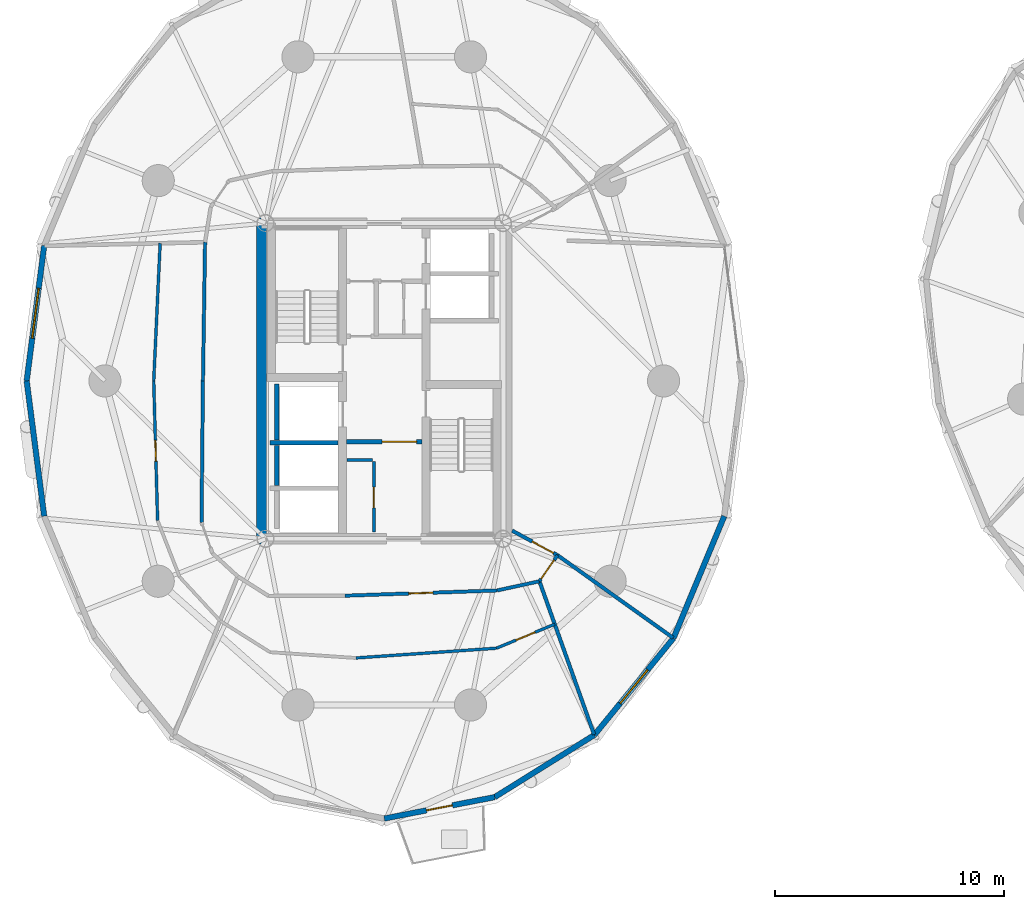
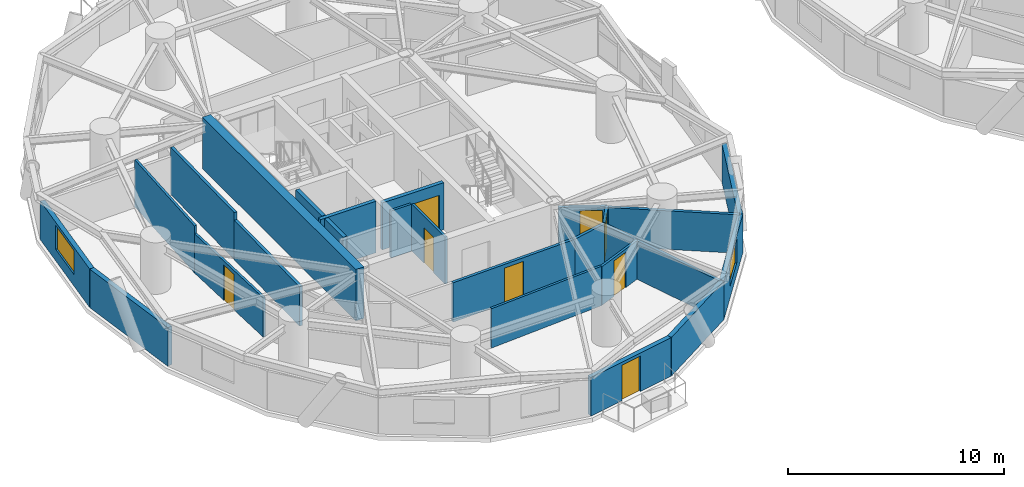
# One storey, part 9 of 18: 25 walls, 8 doors, 2 windows, 10 openings.
"""IFC4 building model written with IfcOpenShell, lengths in metres."""

from ifc_helpers import new_model, si_unit, direction, frame, frame_2d, origin, place, context, subcontext, project, spatial, rectangle, extrude, source, transform, mapped, material, layer, layer_set, type_object, element, fill, save


model = new_model("IFC4")

# Units and contexts
model_context = context("Model", 3, precision=1e-05, world=origin(), true_north=direction((0.0, 1.0)))
body_context = subcontext(model_context, "Body", "Model", "MODEL_VIEW")
ifc_project = project(units=[si_unit("LENGTHUNIT", "METRE"), si_unit("AREAUNIT", "SQUARE_METRE"), si_unit("VOLUMEUNIT", "CUBIC_METRE"), si_unit("PLANEANGLEUNIT", "RADIAN"), si_unit("MASSUNIT", "GRAM", prefix="KILO")], contexts=[model_context])

# Site, building, storey
site_placement = place(None, origin())
site = spatial("IfcSite", under=ifc_project, at=site_placement, CompositionType="ELEMENT")
building_placement = place(site_placement, origin())
building = spatial("IfcBuilding", under=site, at=building_placement, Name="Cununo Teusaquillo Station Towers", CompositionType="ELEMENT")
storey_placement = place(building_placement, frame((0.0, 0.0, 105.070068359375)))
storey = spatial("IfcBuildingStorey", under=building, at=storey_placement, Name="L33", CompositionType="ELEMENT", Elevation=105.070068359375)

# Walls
ifc_material_1 = material(Name="Concrete C50/60", Category="concrete")
ifc_layer_1 = layer(ifc_material_1, 0.199951171875)
ifc_layer_set_1 = layer_set([ifc_layer_1], Name="Concrete C50/60")
wall_type_1 = type_object("IfcWallType", Name="WL-CORE-200", PredefinedType="SHEAR", material=ifc_layer_set_1)
wall_1_placement = place(storey_placement, frame((11.52001953125, 21.800048828125, 0.0), z_axis=(0.0, 0.0, 1.0), x_axis=(1.0, 0.0, 0.0)))
element("IfcWall", 1, at=wall_1_placement, inside=storey, type_object=wall_type_1, Name="L33 Tower A Firefighting Lift Shaft South Shear Wall", PredefinedType="SHEAR", context=body_context, shape_type="SweptSolid", body=[
    extrude(rectangle(XDim=2.969970703125, YDim=0.199951171875, at=frame_2d((1.48486328125, 0.0))), origin(), (0.0, 0.0, 1.0), 2.909912109375),
])
wall_2_placement = place(storey_placement, frame((11.820068359375, 21.919921875, 0.0), z_axis=(0.0, 0.0, 1.0), x_axis=(0.0, 1.0, 0.0)))
element("IfcWall", 2, at=wall_2_placement, inside=storey, type_object=wall_type_1, Name="L33 Tower A Firefighting Lift Shaft Rear Shear Wall", PredefinedType="SHEAR", context=body_context, shape_type="SweptSolid", body=[
    extrude(rectangle(XDim=2.440185546875, YDim=0.199951171875, at=frame_2d((1.22021484375, 0.0))), origin(), (0.0, 0.0, 1.0), 2.909912109375),
])
wall_3_placement = place(storey_placement, frame((11.820068359375, 19.945068359375, 0.0), z_axis=(0.0, 0.0, 1.0), x_axis=(0.0, 1.0, 0.0)))
element("IfcWall", 3, at=wall_3_placement, inside=storey, type_object=wall_type_1, Name="L33 Tower A High-Rise Lift 2 Shaft Rear Shear Wall", PredefinedType="SHEAR", context=body_context, shape_type="SweptSolid", body=[
    extrude(rectangle(XDim=1.73486328125, YDim=0.199951171875, at=frame_2d((0.867431640625, 0.0))), origin(), (0.0, 0.0, 1.0), 2.909912109375),
])
ifc_material_2 = material(Name="Concrete C60/75", Category="concrete")
ifc_layer_2 = layer(ifc_material_2, 0.449951171875)
ifc_layer_set_2 = layer_set([ifc_layer_2], Name="Concrete C60/75")
wall_type_2 = type_object("IfcWallType", Name="WL-CORE-450", PredefinedType="SHEAR", material=ifc_layer_set_2)
wall_4_placement = place(storey_placement, frame((11.14990234375, 17.39990234375, 0.0), z_axis=(0.0, 0.0, 1.0), x_axis=(0.0, 1.0, 0.0)))
element("IfcWall", 4, at=wall_4_placement, inside=storey, type_object=wall_type_2, Name="L33 Tower A Core Shear Wall W", PredefinedType="SHEAR", context=body_context, shape_type="SweptSolid", body=[
    extrude(rectangle(XDim=14.2001953125, YDim=0.449951171875, at=frame_2d((7.10009765625, 0.0))), origin(), (0.0, 0.0, 1.0), 2.909912109375),
])

# Wall, opening, window
ifc_material_3 = material(Name="Precast concrete C40/50", Category="concrete")
ifc_layer_3 = layer(ifc_material_3, 0.239990234375)
ifc_layer_set_3 = layer_set([ifc_layer_3], Name="Precast concrete C40/50")
wall_type_3 = type_object("IfcWallType", Name="WL-EXT-240", PredefinedType="SOLIDWALL", material=ifc_layer_set_3)
wall_5_placement = place(storey_placement, frame((0.9189453125, 24.5, 0.0), z_axis=(0.0, 0.0, 1.0), x_axis=(0.128351991996, 0.991728675672, 0.0)))
wall_5 = element("IfcWall", 5, at=wall_5_placement, inside=storey, type_object=wall_type_3, Name="L33 Tower A Exterior Facade Wall C09", PredefinedType="SOLIDWALL", context=body_context, shape_type="SweptSolid", body=[
    extrude(rectangle(XDim=5.942138671875, YDim=0.239990234375, at=frame_2d((2.97119140625, 0.0))), origin(), (0.0, 0.0, 1.0), 2.178955078125),
])
shared_shape_1 = source(origin(), body_context, "Body", "SweptSolid", [
    extrude(rectangle(XDim=2.199951171875, YDim=1.35009765625, at=frame_2d((1.10009765625, 0.675048828125))), frame((0.0, 0.1298828125, 0.0), z_axis=(0.0, -1.0, 0.0), x_axis=(1.0, 0.0, 0.0)), (0.0, 0.0, 1.0), 0.260009765625),
])
opening_1_placement = place(wall_5_placement, frame((1.87109375, 0.0, 0.64990234375)))
opening_1 = element("IfcOpeningElement", 6, at=opening_1_placement, cuts=wall_5, Name="Opening WN-01", PredefinedType="OPENING", context=body_context, shape_type="MappedRepresentation", body=[
    mapped(shared_shape_1, transform((0.0, 0.0, 0.0), x_axis=(1.0, 0.0, 0.0), y_axis=(0.0, 1.0, 0.0), z_axis=(0.0, 0.0, 1.0), scale=1.0)),
])
ifc_material_4 = material(Name="Ceramic-fritted dark low-E double glazing", Category="glass")
window_type_1 = type_object("IfcWindowType", Name="WIN-FRIT-2200", PartitioningType="DOUBLE_PANEL_VERTICAL", PredefinedType="WINDOW", material=ifc_material_4)
shared_shape_2 = source(origin(), body_context, "Body", "SweptSolid", [
    extrude(rectangle(XDim=2.199951171875, YDim=1.35009765625, at=frame_2d((1.10009765625, 0.675048828125))), frame((0.0, 0.030029296875, 0.0), z_axis=(0.0, -1.0, 0.0), x_axis=(1.0, 0.0, 0.0)), (0.0, 0.0, 1.0), 0.06005859375),
])
window_1_placement = place(opening_1_placement, origin())
window_1 = element("IfcWindow", 7, at=window_1_placement, inside=storey, type_object=window_type_1, Name="L33 Tower A Facade Window C09", OverallHeight=1.35009765625, OverallWidth=2.199951171875, PartitioningType="DOUBLE_PANEL_VERTICAL", PredefinedType="WINDOW", context=body_context, shape_type="MappedRepresentation", body=[
    mapped(shared_shape_2, transform((0.0, 0.0, 0.0), x_axis=(1.0, 0.0, 0.0), y_axis=(0.0, 1.0, 0.0), z_axis=(0.0, 0.0, 1.0), scale=1.0)),
])
fill(opening_1, window_1)

# Wall
wall_6_placement = place(storey_placement, frame((1.681640625, 18.60693359375, 0.0), z_axis=(0.0, 0.0, 1.0), x_axis=(-0.128351991996, 0.991728675672, 0.0)))
element("IfcWall", 8, at=wall_6_placement, inside=storey, type_object=wall_type_3, Name="L33 Tower A Exterior Facade Wall C10", PredefinedType="SOLIDWALL", context=body_context, shape_type="SweptSolid", body=[
    extrude(rectangle(XDim=5.942138671875, YDim=0.239990234375, at=frame_2d((2.97119140625, 0.0))), origin(), (0.0, 0.0, 1.0), 2.178955078125),
])

# Wall, opening, door
wall_7_placement = place(storey_placement, frame((21.314697265625, 6.36328125, 0.0), z_axis=(0.0, 0.0, 1.0), x_axis=(-0.981723785992, -0.190311344954, 0.0)))
wall_7 = element("IfcWall", 9, at=wall_7_placement, inside=storey, type_object=wall_type_3, Name="L33 Tower A Exterior Facade Wall C15", PredefinedType="SOLIDWALL", context=body_context, shape_type="SweptSolid", body=[
    extrude(rectangle(XDim=4.904296875, YDim=0.239990234375, at=frame_2d((2.4521484375, 0.0))), origin(), (0.0, 0.0, 1.0), 2.178955078125),
])
shared_shape_3 = source(origin(), body_context, "Body", "SweptSolid", [
    extrude(rectangle(XDim=1.14990234375, YDim=2.0048828125, at=frame_2d((0.574951171875, 1.00244140625))), frame((0.0, 0.1298828125, 0.0), z_axis=(0.0, -1.0, 0.0), x_axis=(1.0, 0.0, 0.0)), (0.0, 0.0, 1.0), 0.260009765625),
])
opening_2_placement = place(wall_7_placement, frame((1.876953125, 0.0, 0.0)))
opening_2 = element("IfcOpeningElement", 10, at=opening_2_placement, cuts=wall_7, Name="Opening ED-03", PredefinedType="OPENING", context=body_context, shape_type="MappedRepresentation", body=[
    mapped(shared_shape_3, transform((0.0, 0.0, 0.0), x_axis=(1.0, 0.0, 0.0), y_axis=(0.0, 1.0, 0.0), z_axis=(0.0, 0.0, 1.0), scale=1.0)),
])
ifc_material_5 = material(Name="Anodised dark bronze aluminium EN AW-6063-T6", Category="aluminium")
door_type_1 = type_object("IfcDoorType", Name="DR-EXT-BAL", OperationType="NOTDEFINED", PredefinedType="DOOR", material=ifc_material_5)
shared_shape_4 = source(origin(), body_context, "Body", "SweptSolid", [
    extrude(rectangle(XDim=1.14990234375, YDim=2.0048828125, at=frame_2d((0.574951171875, 1.00244140625))), frame((0.0, 0.02490234375, 0.0), z_axis=(0.0, -1.0, 0.0), x_axis=(1.0, 0.0, 0.0)), (0.0, 0.0, 1.0), 0.050048828125),
])
door_1_placement = place(opening_2_placement, origin())
door_1 = element("IfcDoor", 11, at=door_1_placement, inside=storey, type_object=door_type_1, Name="L33 Tower A Tree Balcony Door C15", OperationType="SINGLE_SWING_LEFT", OverallHeight=2.0048828125, OverallWidth=1.14990234375, PredefinedType="DOOR", context=body_context, shape_type="MappedRepresentation", body=[
    mapped(shared_shape_4, transform((0.0, 0.0, 0.0), x_axis=(1.0, 0.0, 0.0), y_axis=(0.0, 1.0, 0.0), z_axis=(0.0, 0.0, 1.0), scale=1.0)),
])
fill(opening_2, door_1)

# Wall
wall_8_placement = place(storey_placement, frame((25.658203125, 9.072021484375, 0.0), z_axis=(0.0, 0.0, 1.0), x_axis=(-0.848520380187, -0.529162701263, 0.0)))
element("IfcWall", 12, at=wall_8_placement, inside=storey, type_object=wall_type_3, Name="L33 Tower A Exterior Facade Wall C16", PredefinedType="SOLIDWALL", context=body_context, shape_type="SweptSolid", body=[
    extrude(rectangle(XDim=5.118896484375, YDim=0.239990234375, at=frame_2d((2.5595703125, 0.0))), origin(), (0.0, 0.0, 1.0), 2.178955078125),
])

# Wall, opening, window
wall_9_placement = place(storey_placement, frame((29.105224609375, 13.291015625, 0.0), z_axis=(0.0, 0.0, 1.0), x_axis=(-0.632700781152, -0.77439635945, 0.0)))
wall_9 = element("IfcWall", 13, at=wall_9_placement, inside=storey, type_object=wall_type_3, Name="L33 Tower A Exterior Facade Wall C17", PredefinedType="SOLIDWALL", context=body_context, shape_type="SweptSolid", body=[
    extrude(rectangle(XDim=5.447998046875, YDim=0.239990234375, at=frame_2d((2.72412109375, 0.0))), origin(), (0.0, 0.0, 1.0), 2.178955078125),
])
shared_shape_5 = source(origin(), body_context, "Body", "SweptSolid", [
    extrude(rectangle(XDim=1.89990234375, YDim=1.35009765625, at=frame_2d((0.949951171875, 0.675048828125))), frame((0.0, 0.1298828125, 0.0), z_axis=(0.0, -1.0, 0.0), x_axis=(1.0, 0.0, 0.0)), (0.0, 0.0, 1.0), 0.260009765625),
])
opening_3_placement = place(wall_9_placement, frame((1.77392578125, 0.0, 0.64990234375)))
opening_3 = element("IfcOpeningElement", 14, at=opening_3_placement, cuts=wall_9, Name="Opening WN-02", PredefinedType="OPENING", context=body_context, shape_type="MappedRepresentation", body=[
    mapped(shared_shape_5, transform((0.0, 0.0, 0.0), x_axis=(1.0, 0.0, 0.0), y_axis=(0.0, 1.0, 0.0), z_axis=(0.0, 0.0, 1.0), scale=1.0)),
])
ifc_material_6 = material(Name="Operable acoustic tinted low-E double glazing", Category="glass")
window_type_2 = type_object("IfcWindowType", Name="WIN-OPER-1900", PartitioningType="DOUBLE_PANEL_VERTICAL", PredefinedType="WINDOW", material=ifc_material_6)
shared_shape_6 = source(origin(), body_context, "Body", "SweptSolid", [
    extrude(rectangle(XDim=1.89990234375, YDim=1.35009765625, at=frame_2d((0.949951171875, 0.675048828125))), frame((0.0, 0.030029296875, 0.0), z_axis=(0.0, -1.0, 0.0), x_axis=(1.0, 0.0, 0.0)), (0.0, 0.0, 1.0), 0.06005859375),
])
window_2_placement = place(opening_3_placement, origin())
window_2 = element("IfcWindow", 15, at=window_2_placement, inside=storey, type_object=window_type_2, Name="L33 Tower A Facade Window C17", OverallHeight=1.35009765625, OverallWidth=1.89990234375, PartitioningType="DOUBLE_PANEL_VERTICAL", PredefinedType="WINDOW", context=body_context, shape_type="MappedRepresentation", body=[
    mapped(shared_shape_6, transform((0.0, 0.0, 0.0), x_axis=(1.0, 0.0, 0.0), y_axis=(0.0, 1.0, 0.0), z_axis=(0.0, 0.0, 1.0), scale=1.0)),
])
fill(opening_3, window_2)

# Wall
wall_10_placement = place(storey_placement, frame((31.318359375, 18.60693359375, 0.0), z_axis=(0.0, 0.0, 1.0), x_axis=(-0.384344417632, -0.923189779317, 0.0)))
element("IfcWall", 16, at=wall_10_placement, inside=storey, type_object=wall_type_3, Name="L33 Tower A Exterior Facade Wall C18", PredefinedType="SOLIDWALL", context=body_context, shape_type="SweptSolid", body=[
    extrude(rectangle(XDim=5.75830078125, YDim=0.239990234375, at=frame_2d((2.879150390625, 0.0))), origin(), (0.0, 0.0, 1.0), 2.178955078125),
])

# Wall, opening, door
ifc_material_7 = material(Name="Fire-rated gypsum plasterboard partition assembly", Category="gypsum")
ifc_layer_4 = layer(ifc_material_7, 0.125)
ifc_layer_set_4 = layer_set([ifc_layer_4], Name="Fire-rated gypsum plasterboard partition assembly")
wall_type_4 = type_object("IfcWallType", Name="WL-PART-125", PredefinedType="PARTITIONING", material=ifc_layer_set_4)
wall_11_placement = place(storey_placement, frame((16.050048828125, 17.919921875, 0.0), z_axis=(0.0, 0.0, 1.0), x_axis=(0.0, 1.0, 0.0)))
wall_11 = element("IfcWall", 17, at=wall_11_placement, inside=storey, type_object=wall_type_4, Name="L33 Tower A South-West Tall Store East Wall", PredefinedType="PARTITIONING", context=body_context, shape_type="SweptSolid", body=[
    extrude(rectangle(XDim=3.080078125, YDim=0.125, at=frame_2d((1.5400390625, 0.0))), origin(), (0.0, 0.0, 1.0), 2.655029296875),
])
shared_shape_7 = source(origin(), body_context, "Body", "SweptSolid", [
    extrude(rectangle(XDim=0.89990234375, YDim=2.0048828125, at=frame_2d((0.449951171875, 1.00244140625))), frame((0.0, 0.072509765625, 0.0), z_axis=(0.0, -1.0, 0.0), x_axis=(1.0, 0.0, 0.0)), (0.0, 0.0, 1.0), 0.14501953125),
])
opening_4_placement = place(wall_11_placement, frame((1.050048828125, 0.0, 0.0)))
opening_4 = element("IfcOpeningElement", 18, at=opening_4_placement, cuts=wall_11, Name="Opening D-SR1", PredefinedType="OPENING", context=body_context, shape_type="MappedRepresentation", body=[
    mapped(shared_shape_7, transform((0.0, 0.0, 0.0), x_axis=(1.0, 0.0, 0.0), y_axis=(0.0, 1.0, 0.0), z_axis=(0.0, 0.0, 1.0), scale=1.0)),
])
ifc_material_8 = material(Name="Galvanised fire-rated hollow steel door assembly", Category="steel")
door_type_2 = type_object("IfcDoorType", Name="DR-STORE-900", OperationType="NOTDEFINED", PredefinedType="DOOR", material=ifc_material_8)
shared_shape_8 = source(origin(), body_context, "Body", "SweptSolid", [
    extrude(rectangle(XDim=0.89990234375, YDim=2.0048828125, at=frame_2d((0.449951171875, 1.00244140625))), frame((0.0, 0.02490234375, 0.0), z_axis=(0.0, -1.0, 0.0), x_axis=(1.0, 0.0, 0.0)), (0.0, 0.0, 1.0), 0.050048828125),
])
door_2_placement = place(opening_4_placement, origin())
door_2 = element("IfcDoor", 19, at=door_2_placement, inside=storey, type_object=door_type_2, Name="L33 Tower A South Cleaners Store Door", OperationType="SINGLE_SWING_RIGHT", OverallHeight=2.0048828125, OverallWidth=0.89990234375, PredefinedType="DOOR", context=body_context, shape_type="MappedRepresentation", body=[
    mapped(shared_shape_8, transform((0.0, 0.0, 0.0), x_axis=(1.0, 0.0, 0.0), y_axis=(0.0, 1.0, 0.0), z_axis=(0.0, 0.0, 1.0), scale=1.0)),
])
fill(opening_4, door_2)

# Walls
wall_12_placement = place(storey_placement, frame((14.8798828125, 21.050048828125, 0.0), z_axis=(0.0, 0.0, 1.0), x_axis=(1.0, 0.0, 0.0)))
element("IfcWall", 20, at=wall_12_placement, inside=storey, type_object=wall_type_4, Name="L33 Tower A South-West Tall Store North Wall", PredefinedType="PARTITIONING", context=body_context, shape_type="SweptSolid", body=[
    extrude(rectangle(XDim=1.10009765625, YDim=0.125, at=frame_2d((0.550048828125, 0.0))), origin(), (0.0, 0.0, 1.0), 2.655029296875),
])
wall_13_placement = place(storey_placement, frame((6.73486328125, 30.5, 0.0), z_axis=(0.0, 0.0, 1.0), x_axis=(-0.046620801603, -0.998912659274, 0.0)))
element("IfcWall", 21, at=wall_13_placement, inside=storey, type_object=wall_type_4, Name="L33 Tower A Ambassadorial Executive Office Concentric Partition Wall C09", PredefinedType="PARTITIONING", context=body_context, shape_type="SweptSolid", body=[
    extrude(rectangle(XDim=6.006591796875, YDim=0.125, at=frame_2d((3.00341796875, 0.0))), origin(), (0.0, 0.0, 1.0), 2.655029296875),
])

# Wall, opening, door
wall_14_placement = place(storey_placement, frame((6.454833984375, 24.5, 0.0), z_axis=(0.0, 0.0, 1.0), x_axis=(0.027753708707, -0.999614791634, 0.0)))
wall_14 = element("IfcWall", 22, at=wall_14_placement, inside=storey, type_object=wall_type_4, Name="L33 Tower A Ambassadorial Executive Office Concentric Partition Wall C10", PredefinedType="PARTITIONING", context=body_context, shape_type="SweptSolid", body=[
    extrude(rectangle(XDim=6.08740234375, YDim=0.125, at=frame_2d((3.043701171875, 0.0))), origin(), (0.0, 0.0, 1.0), 2.224853515625),
])
opening_5_placement = place(wall_14_placement, frame((2.593505859375, 0.0, 0.0)))
opening_5 = element("IfcOpeningElement", 23, at=opening_5_placement, cuts=wall_14, Name="Opening D-IN1", PredefinedType="OPENING", context=body_context, shape_type="MappedRepresentation", body=[
    mapped(shared_shape_7, transform((0.0, 0.0, 0.0), x_axis=(1.0, 0.0, 0.0), y_axis=(0.0, 1.0, 0.0), z_axis=(0.0, 0.0, 1.0), scale=1.0)),
])
ifc_material_9 = material(Name="Acoustic solid-core hardwood leaf assembly", Category="wood")
door_type_3 = type_object("IfcDoorType", Name="DR-INT-900", OperationType="NOTDEFINED", PredefinedType="DOOR", material=ifc_material_9)
door_3_placement = place(opening_5_placement, origin())
door_3 = element("IfcDoor", 24, at=door_3_placement, inside=storey, type_object=door_type_3, Name="L33 Tower A Ambassadorial Executive Office Connecting Door", OperationType="SINGLE_SWING_LEFT", OverallHeight=2.0048828125, OverallWidth=0.89990234375, PredefinedType="DOOR", context=body_context, shape_type="MappedRepresentation", body=[
    mapped(shared_shape_8, transform((0.0, 0.0, 0.0), x_axis=(1.0, 0.0, 0.0), y_axis=(0.0, 1.0, 0.0), z_axis=(0.0, 0.0, 1.0), scale=1.0)),
])
fill(opening_5, door_3)

# Wall
wall_15_placement = place(storey_placement, frame((15.26220703125, 12.42724609375, 0.0), z_axis=(0.0, 0.0, 1.0), x_axis=(0.997595855995, 0.069300130605, 0.0)))
element("IfcWall", 25, at=wall_15_placement, inside=storey, type_object=wall_type_4, Name="L33 Tower A Cultural Attache Workplace Concentric Partition Wall C15", PredefinedType="PARTITIONING", context=body_context, shape_type="SweptSolid", body=[
    extrude(rectangle(XDim=6.140380859375, YDim=0.125, at=frame_2d((3.0703125, 0.0))), origin(), (0.0, 0.0, 1.0), 2.224853515625),
])

# Wall, opening, door
wall_16_placement = place(storey_placement, frame((21.387939453125, 12.852783203125, 0.0), z_axis=(0.0, 0.0, 1.0), x_axis=(0.924757149715, 0.380557767036, 0.0)))
wall_16 = element("IfcWall", 26, at=wall_16_placement, inside=storey, type_object=wall_type_4, Name="L33 Tower A Cultural Attache Workplace Concentric Partition Wall C16", PredefinedType="PARTITIONING", context=body_context, shape_type="SweptSolid", body=[
    extrude(rectangle(XDim=2.74951171875, YDim=0.125, at=frame_2d((1.374755859375, 0.0))), origin(), (0.0, 0.0, 1.0), 2.178955078125),
])
opening_6_placement = place(wall_16_placement, frame((0.9248046875, 0.0, 0.0)))
opening_6 = element("IfcOpeningElement", 27, at=opening_6_placement, cuts=wall_16, Name="Opening D-IN1", PredefinedType="OPENING", context=body_context, shape_type="MappedRepresentation", body=[
    mapped(shared_shape_7, transform((0.0, 0.0, 0.0), x_axis=(1.0, 0.0, 0.0), y_axis=(0.0, 1.0, 0.0), z_axis=(0.0, 0.0, 1.0), scale=1.0)),
])
door_4_placement = place(opening_6_placement, origin())
door_4 = element("IfcDoor", 28, at=door_4_placement, inside=storey, type_object=door_type_3, Name="L33 Tower A Cultural Attache Workplace Connecting Door", OperationType="SINGLE_SWING_LEFT", OverallHeight=2.0048828125, OverallWidth=0.89990234375, PredefinedType="DOOR", context=body_context, shape_type="MappedRepresentation", body=[
    mapped(shared_shape_8, transform((0.0, 0.0, 0.0), x_axis=(1.0, 0.0, 0.0), y_axis=(0.0, 1.0, 0.0), z_axis=(0.0, 0.0, 1.0), scale=1.0)),
])
fill(opening_6, door_4)

# Walls
ifc_material_10 = material(Name="Fire-rated gypsum plasterboard partition assembly", Category="gypsum")
ifc_layer_5 = layer(ifc_material_10, 0.14990234375)
ifc_layer_set_5 = layer_set([ifc_layer_5], Name="Fire-rated gypsum plasterboard partition assembly")
wall_type_5 = type_object("IfcWallType", Name="WL-PART-150", PredefinedType="PARTITIONING", material=ifc_layer_set_5)
wall_17_placement = place(storey_placement, frame((8.692626953125, 30.544189453125, 0.0), z_axis=(0.0, 0.0, 1.0), x_axis=(-0.015307007986, -0.99988284089, 0.0)))
element("IfcWall", 29, at=wall_17_placement, inside=storey, type_object=wall_type_5, Name="L33 Tower A Corridor Ring Wall C09", PredefinedType="PARTITIONING", context=body_context, shape_type="SweptSolid", body=[
    extrude(rectangle(XDim=6.044921875, YDim=0.14990234375, at=frame_2d((3.0224609375, 0.0))), origin(), (0.0, 0.0, 1.0), 2.655029296875),
])
wall_18_placement = place(storey_placement, frame((8.60009765625, 24.5, 0.0), z_axis=(0.0, 0.0, 1.0), x_axis=(-0.010023665349, -0.999949761805, 0.0)))
element("IfcWall", 30, at=wall_18_placement, inside=storey, type_object=wall_type_5, Name="L33 Tower A Corridor Ring Wall C10", PredefinedType="PARTITIONING", context=body_context, shape_type="SweptSolid", body=[
    extrude(rectangle(XDim=6.162109375, YDim=0.14990234375, at=frame_2d((3.0810546875, 0.0))), origin(), (0.0, 0.0, 1.0), 2.224853515625),
])

# Wall, opening, door
wall_19_placement = place(storey_placement, frame((14.781005859375, 15.140625, 0.0), z_axis=(0.0, 0.0, 1.0), x_axis=(0.999407918707, 0.034406569513, 0.0)))
wall_19 = element("IfcWall", 31, at=wall_19_placement, inside=storey, type_object=wall_type_5, Name="L33 Tower A Corridor Ring Wall C15", PredefinedType="PARTITIONING", context=body_context, shape_type="SweptSolid", body=[
    extrude(rectangle(XDim=6.6416015625, YDim=0.14990234375, at=frame_2d((3.32080078125, 0.0))), origin(), (0.0, 0.0, 1.0), 2.224853515625),
])
shared_shape_9 = source(origin(), body_context, "Body", "SweptSolid", [
    extrude(rectangle(XDim=1.050048828125, YDim=2.014892578125, at=frame_2d((0.52490234375, 1.00732421875))), frame((0.0, 0.0849609375, 0.0), z_axis=(0.0, -1.0, 0.0), x_axis=(1.0, 0.0, 0.0)), (0.0, 0.0, 1.0), 0.169921875),
])
opening_7_placement = place(wall_19_placement, frame((2.7958984375, 0.0, 0.0)))
opening_7 = element("IfcOpeningElement", 32, at=opening_7_placement, cuts=wall_19, Name="Opening D-SU1", PredefinedType="OPENING", context=body_context, shape_type="MappedRepresentation", body=[
    mapped(shared_shape_9, transform((0.0, 0.0, 0.0), x_axis=(1.0, 0.0, 0.0), y_axis=(0.0, 1.0, 0.0), z_axis=(0.0, 0.0, 1.0), scale=1.0)),
])
ifc_material_11 = material(Name="Acoustic solid-core hardwood leaf assembly", Category="wood")
door_type_4 = type_object("IfcDoorType", Name="DR-SUITE-1050", OperationType="NOTDEFINED", PredefinedType="DOOR", material=ifc_material_11)
shared_shape_10 = source(origin(), body_context, "Body", "SweptSolid", [
    extrude(rectangle(XDim=1.050048828125, YDim=2.014892578125, at=frame_2d((0.52490234375, 1.00732421875))), frame((0.0, 0.02490234375, 0.0), z_axis=(0.0, -1.0, 0.0), x_axis=(1.0, 0.0, 0.0)), (0.0, 0.0, 1.0), 0.050048828125),
])
door_5_placement = place(opening_7_placement, origin())
door_5 = element("IfcDoor", 33, at=door_5_placement, inside=storey, type_object=door_type_4, Name="L33 Tower A Cultural Attache Workplace Entrance Door", OperationType="SINGLE_SWING_RIGHT", OverallHeight=2.014892578125, OverallWidth=1.050048828125, PredefinedType="DOOR", context=body_context, shape_type="MappedRepresentation", body=[
    mapped(shared_shape_10, transform((0.0, 0.0, 0.0), x_axis=(1.0, 0.0, 0.0), y_axis=(0.0, 1.0, 0.0), z_axis=(0.0, 0.0, 1.0), scale=1.0)),
])
fill(opening_7, door_5)

# Wall
wall_20_placement = place(storey_placement, frame((21.418701171875, 15.369140625, 0.0), z_axis=(0.0, 0.0, 1.0), x_axis=(0.977192701953, 0.212354475464, 0.0)))
element("IfcWall", 34, at=wall_20_placement, inside=storey, type_object=wall_type_5, Name="L33 Tower A Corridor Ring Wall C16", PredefinedType="PARTITIONING", context=body_context, shape_type="SweptSolid", body=[
    extrude(rectangle(XDim=1.8876953125, YDim=0.14990234375, at=frame_2d((0.94384765625, 0.0))), origin(), (0.0, 0.0, 1.0), 2.224853515625),
])

# Wall, opening, door
wall_21_placement = place(storey_placement, frame((23.263427734375, 15.77001953125, 0.0), z_axis=(0.0, 0.0, 1.0), x_axis=(0.570743456919, 0.821128434768, 0.0)))
wall_21 = element("IfcWall", 35, at=wall_21_placement, inside=storey, type_object=wall_type_5, Name="L33 Tower A Corridor Ring Wall C17", PredefinedType="PARTITIONING", context=body_context, shape_type="SweptSolid", body=[
    extrude(rectangle(XDim=1.381591796875, YDim=0.14990234375, at=frame_2d((0.69091796875, 0.0))), origin(), (0.0, 0.0, 1.0), 2.224853515625),
])
shared_shape_11 = source(origin(), body_context, "Body", "SweptSolid", [
    extrude(rectangle(XDim=1.0, YDim=2.014892578125, at=frame_2d((0.5, 1.00732421875))), frame((0.0, 0.0849609375, 0.0), z_axis=(0.0, -1.0, 0.0), x_axis=(1.0, 0.0, 0.0)), (0.0, 0.0, 1.0), 0.169921875),
])
opening_8_placement = place(wall_21_placement, frame((0.1201171875, 0.0, 0.0)))
opening_8 = element("IfcOpeningElement", 36, at=opening_8_placement, cuts=wall_21, Name="Opening D-AC1", PredefinedType="OPENING", context=body_context, shape_type="MappedRepresentation", body=[
    mapped(shared_shape_11, transform((0.0, 0.0, 0.0), x_axis=(1.0, 0.0, 0.0), y_axis=(0.0, 1.0, 0.0), z_axis=(0.0, 0.0, 1.0), scale=1.0)),
])
ifc_material_12 = material(Name="Acoustic solid-core hardwood leaf assembly", Category="wood")
door_type_5 = type_object("IfcDoorType", Name="DR-ACC-1000", OperationType="NOTDEFINED", PredefinedType="DOOR", material=ifc_material_12)
shared_shape_12 = source(origin(), body_context, "Body", "SweptSolid", [
    extrude(rectangle(XDim=1.0, YDim=2.014892578125, at=frame_2d((0.5, 1.00732421875))), frame((0.0, 0.02490234375, 0.0), z_axis=(0.0, -1.0, 0.0), x_axis=(1.0, 0.0, 0.0)), (0.0, 0.0, 1.0), 0.050048828125),
])
door_6_placement = place(opening_8_placement, origin())
door_6 = element("IfcDoor", 37, at=door_6_placement, inside=storey, type_object=door_type_5, Name="L33 Tower A Public Accessible Restroom WC Entrance Door", OperationType="SINGLE_SWING_RIGHT", OverallHeight=2.014892578125, OverallWidth=1.0, PredefinedType="DOOR", context=body_context, shape_type="MappedRepresentation", body=[
    mapped(shared_shape_12, transform((0.0, 0.0, 0.0), x_axis=(1.0, 0.0, 0.0), y_axis=(0.0, 1.0, 0.0), z_axis=(0.0, 0.0, 1.0), scale=1.0)),
])
fill(opening_8, door_6)

# Walls
ifc_material_13 = material(Name="Fire-rated gypsum plasterboard partition assembly", Category="gypsum")
ifc_layer_6 = layer(ifc_material_13, 0.159912109375)
ifc_layer_set_6 = layer_set([ifc_layer_6], Name="Fire-rated gypsum plasterboard partition assembly")
wall_type_6 = type_object("IfcWallType", Name="WL-PART-160", PredefinedType="PARTITIONING", material=ifc_layer_set_6)
wall_22_placement = place(storey_placement, frame((23.263427734375, 15.77001953125, 0.0), z_axis=(0.0, 0.0, 1.0), x_axis=(0.335919964206, -0.941890533793, 0.0)))
element("IfcWall", 38, at=wall_22_placement, inside=storey, type_object=wall_type_6, Name="L33 Tower A Radial Suite Partition R06", PredefinedType="PARTITIONING", context=body_context, shape_type="SweptSolid", body=[
    extrude(rectangle(XDim=7.09423828125, YDim=0.159912109375, at=frame_2d((3.547119140625, 0.0))), origin(), (0.0, 0.0, 1.0), 2.178955078125),
])
wall_23_placement = place(storey_placement, frame((24.052001953125, 16.904541015625, 0.0), z_axis=(0.0, 0.0, 1.0), x_axis=(0.813437670746, -0.581652091727, 0.0)))
element("IfcWall", 39, at=wall_23_placement, inside=storey, type_object=wall_type_6, Name="L33 Tower A Radial Suite Partition R07", PredefinedType="PARTITIONING", context=body_context, shape_type="SweptSolid", body=[
    extrude(rectangle(XDim=6.1923828125, YDim=0.159912109375, at=frame_2d((3.09619140625, 0.0))), origin(), (0.0, 0.0, 1.0), 2.178955078125),
])

# Wall, opening, door
wall_24_placement = place(storey_placement, frame((22.074951171875, 17.97509765625, 0.0), z_axis=(0.0, 0.0, 1.0), x_axis=(0.879356383302, -0.476164206073, 0.0)))
wall_24 = element("IfcWall", 40, at=wall_24_placement, inside=storey, type_object=wall_type_6, Name="L33 Tower A East Salon Corridor Portal Wall SE", PredefinedType="PARTITIONING", context=body_context, shape_type="SweptSolid", body=[
    extrude(rectangle(XDim=2.248291015625, YDim=0.159912109375, at=frame_2d((1.1240234375, 0.0))), origin(), (0.0, 0.0, 1.0), 2.224853515625),
])
shared_shape_13 = source(origin(), body_context, "Body", "SweptSolid", [
    extrude(rectangle(XDim=1.050048828125, YDim=2.014892578125, at=frame_2d((0.52490234375, 1.00732421875))), frame((0.0, 0.08984375, 0.0), z_axis=(0.0, -1.0, 0.0), x_axis=(1.0, 0.0, 0.0)), (0.0, 0.0, 1.0), 0.179931640625),
])
opening_9_placement = place(wall_24_placement, frame((0.998291015625, 0.0, 0.0)))
opening_9 = element("IfcOpeningElement", 41, at=opening_9_placement, cuts=wall_24, Name="Opening D-SU1", PredefinedType="OPENING", context=body_context, shape_type="MappedRepresentation", body=[
    mapped(shared_shape_13, transform((0.0, 0.0, 0.0), x_axis=(1.0, 0.0, 0.0), y_axis=(0.0, 1.0, 0.0), z_axis=(0.0, 0.0, 1.0), scale=1.0)),
])
door_7_placement = place(opening_9_placement, origin())
door_7 = element("IfcDoor", 42, at=door_7_placement, inside=storey, type_object=door_type_4, Name="L33 Tower A East Panorama Sky Salon Door SE", OperationType="SINGLE_SWING_RIGHT", OverallHeight=2.014892578125, OverallWidth=1.050048828125, PredefinedType="DOOR", context=body_context, shape_type="MappedRepresentation", body=[
    mapped(shared_shape_10, transform((0.0, 0.0, 0.0), x_axis=(1.0, 0.0, 0.0), y_axis=(0.0, 1.0, 0.0), z_axis=(0.0, 0.0, 1.0), scale=1.0)),
])
fill(opening_9, door_7)

ifc_material_14 = material(Name="Fire-rated gypsum plasterboard partition assembly", Category="gypsum")
ifc_layer_7 = layer(ifc_material_14, 0.199951171875)
ifc_layer_set_7 = layer_set([ifc_layer_7], Name="Fire-rated gypsum plasterboard partition assembly")
wall_type_7 = type_object("IfcWallType", Name="WL-PART-200", PredefinedType="PARTITIONING", material=ifc_layer_set_7)
wall_25_placement = place(storey_placement, frame((14.860107421875, 21.85009765625, 0.0), z_axis=(0.0, 0.0, 1.0), x_axis=(1.0, 0.0, 0.0)))
wall_25 = element("IfcWall", 43, at=wall_25_placement, inside=storey, type_object=wall_type_7, Name="L33 Tower A Firefighting Lift Lobby South Fire Wall", PredefinedType="PARTITIONING", context=body_context, shape_type="SweptSolid", body=[
    extrude(rectangle(XDim=3.27978515625, YDim=0.199951171875, at=frame_2d((1.639892578125, 0.0))), origin(), (0.0, 0.0, 1.0), 2.655029296875),
])
shared_shape_14 = source(origin(), body_context, "Body", "SweptSolid", [
    extrude(rectangle(XDim=1.5, YDim=2.02001953125, at=frame_2d((0.75, 1.010009765625))), frame((0.0, 0.10986328125, 0.0), z_axis=(0.0, -1.0, 0.0), x_axis=(1.0, 0.0, 0.0)), (0.0, 0.0, 1.0), 0.219970703125),
])
opening_10_placement = place(wall_25_placement, frame((1.550048828125, 0.0, 0.0)))
opening_10 = element("IfcOpeningElement", 44, at=opening_10_placement, cuts=wall_25, Name="Opening D-LB1", PredefinedType="OPENING", context=body_context, shape_type="MappedRepresentation", body=[
    mapped(shared_shape_14, transform((0.0, 0.0, 0.0), x_axis=(1.0, 0.0, 0.0), y_axis=(0.0, 1.0, 0.0), z_axis=(0.0, 0.0, 1.0), scale=1.0)),
])
ifc_material_15 = material(Name="Galvanised fire-rated hollow steel door assembly", Category="steel")
door_type_6 = type_object("IfcDoorType", Name="DR-LOBBY-1500", OperationType="DOUBLE_DOOR_SINGLE_SWING", PredefinedType="DOOR", material=ifc_material_15)
shared_shape_15 = source(origin(), body_context, "Body", "SweptSolid", [
    extrude(rectangle(XDim=1.5, YDim=2.02001953125, at=frame_2d((0.75, 1.010009765625))), frame((0.0, 0.02490234375, 0.0), z_axis=(0.0, -1.0, 0.0), x_axis=(1.0, 0.0, 0.0)), (0.0, 0.0, 1.0), 0.050048828125),
])
door_8_placement = place(opening_10_placement, origin())
door_8 = element("IfcDoor", 45, at=door_8_placement, inside=storey, type_object=door_type_6, Name="L33 Tower A Firefighting Lift Lobby South Fire Door", OperationType="DOUBLE_DOOR_SINGLE_SWING", OverallHeight=2.02001953125, OverallWidth=1.5, PredefinedType="DOOR", context=body_context, shape_type="MappedRepresentation", body=[
    mapped(shared_shape_15, transform((0.0, 0.0, 0.0), x_axis=(1.0, 0.0, 0.0), y_axis=(0.0, 1.0, 0.0), z_axis=(0.0, 0.0, 1.0), scale=1.0)),
])
fill(opening_10, door_8)

save(model, "model.ifc")
